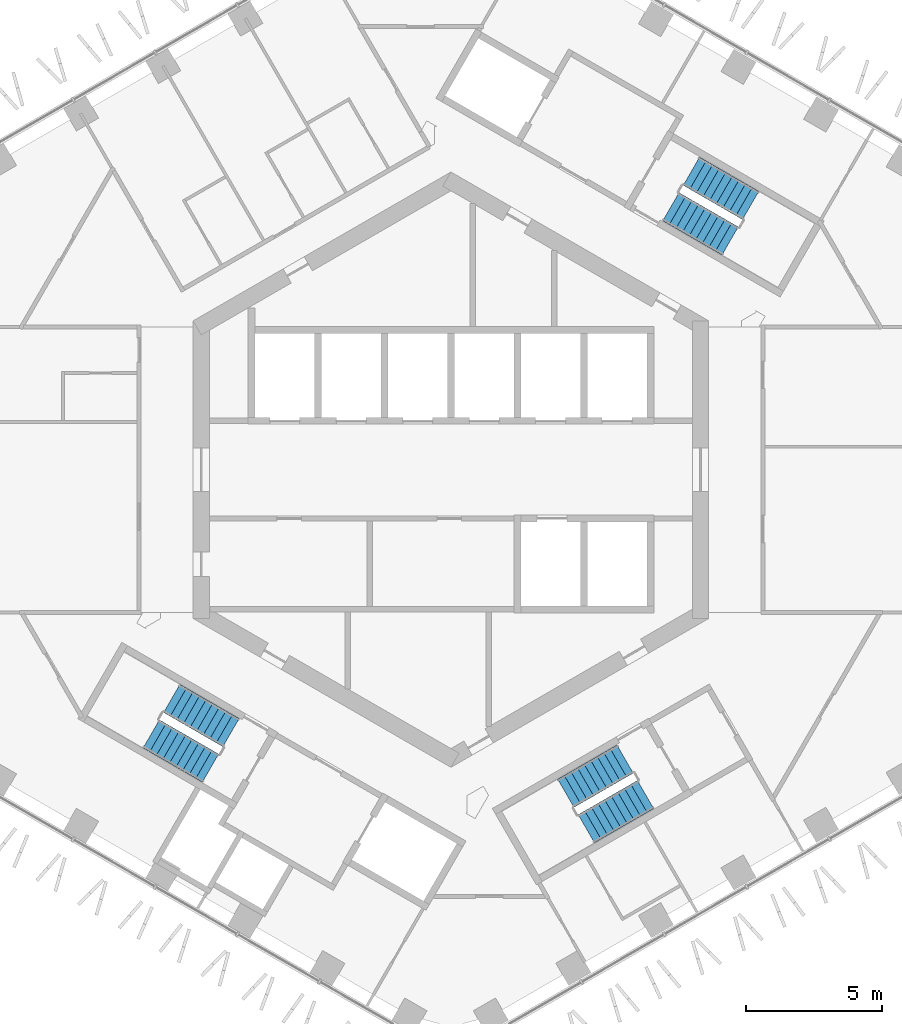
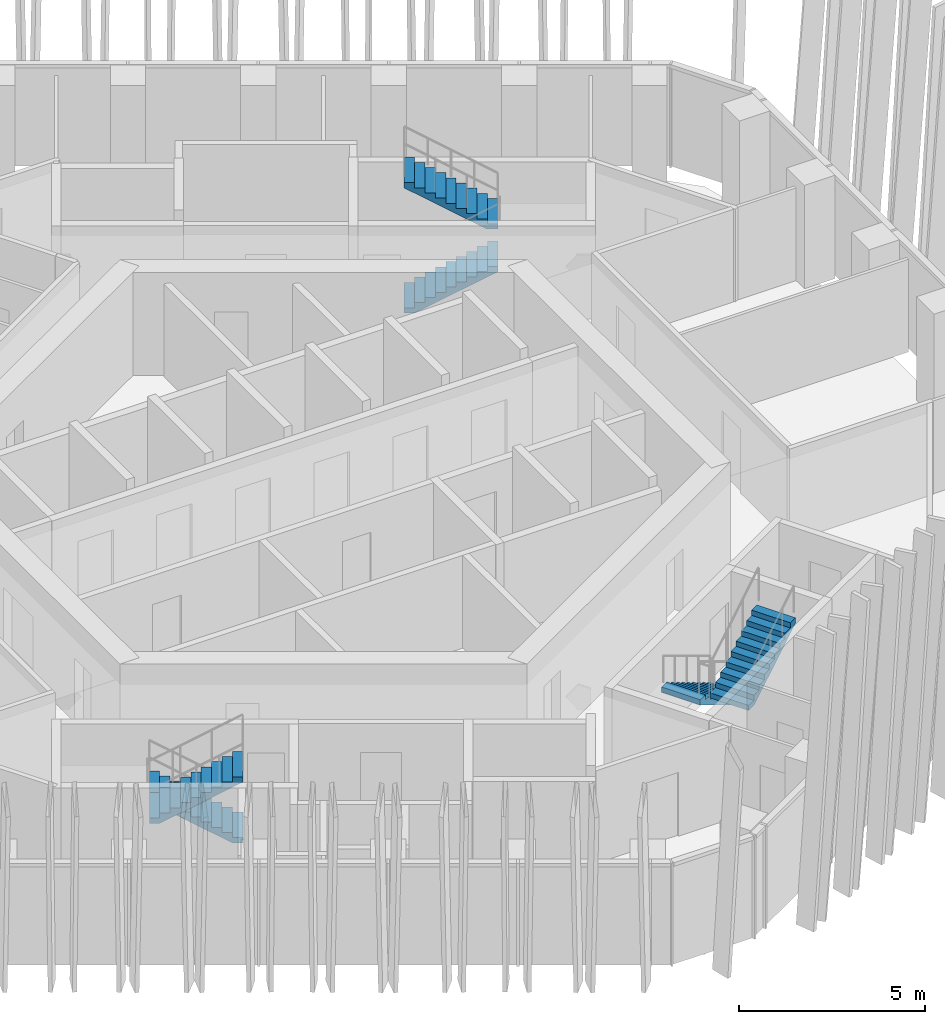
# One storey, part 17 of 21: 6 stair flights, 3 elements without a shape of their own.
"""IFC4 building model written with IfcOpenShell, lengths in metres."""

from ifc_helpers import new_model, si_unit, direction, frame, origin, place, context, subcontext, project, spatial, triangles, material, type_object, element, aggregate, save


model = new_model("IFC4")

# Units and contexts
model_context = context("Model", 3, precision=1e-05, world=origin(), true_north=direction((0.0, 1.0)))
body_context = subcontext(model_context, "Body", "Model", "MODEL_VIEW")
ifc_project = project(units=[si_unit("LENGTHUNIT", "METRE"), si_unit("AREAUNIT", "SQUARE_METRE"), si_unit("VOLUMEUNIT", "CUBIC_METRE"), si_unit("PLANEANGLEUNIT", "RADIAN"), si_unit("MASSUNIT", "GRAM", prefix="KILO")], contexts=[model_context])

# Site, building, storey
site_placement = place(None, origin())
site = spatial("IfcSite", under=ifc_project, at=site_placement, CompositionType="ELEMENT")
building_placement = place(site_placement, origin())
building = spatial("IfcBuilding", under=site, at=building_placement, Name="Ayvan Gate Tower", CompositionType="ELEMENT")
storey_placement = place(building_placement, frame((0.0, 0.0, 152.699951171875)))
storey = spatial("IfcBuildingStorey", under=building, at=storey_placement, Name="L40", CompositionType="ELEMENT", Elevation=152.699951171875)

# Stair, stair flights
ifc_material = material(Name="Concrete C40/50", Category="concrete")
stair_type = type_object("IfcStairType", Name="ST-EXIT", PredefinedType="HALF_TURN_STAIR", material=ifc_material)
stair_1_placement = place(storey_placement, origin())
stair_1 = element("IfcStair", 1, at=stair_1_placement, inside=storey, type_object=stair_type, Name="L40 Exit Stair S1", PredefinedType="HALF_TURN_STAIR")
stair_flight_type = type_object("IfcStairFlightType", Name="SFL-EXIT", PredefinedType="STRAIGHT", material=ifc_material)
stair_flight_1_placement = place(storey_placement, frame((8.106201171875, 9.690185546875, 0.0), z_axis=(0.0, 0.0, 1.0), x_axis=(0.866025403784, -0.5, 0.0)))
stair_flight_1 = element("IfcStairFlight", 2, at=stair_flight_1_placement, type_object=stair_flight_type, Name="STS1 flight 1", NumberOfRisers=10, NumberOfTreads=9, PredefinedType="STRAIGHT", RiserHeight=0.17, TreadLength=0.28, context=body_context, shape_type="Tessellation", body=[
    triangles([(0.288841, -0.599976, 0.0), (2.5205, -0.599976, 1.354936), (2.5205, -0.599976, 1.53), (2.24, -0.599976, 1.53), (2.24, -0.599976, 1.36), (1.96, -0.599976, 1.36), (1.96, -0.599976, 1.19), (1.68, -0.599976, 1.19), (1.68, -0.599976, 1.02), (1.4, -0.599976, 1.02), (1.4, -0.599976, 0.85), (1.12, -0.599976, 0.85), (1.12, -0.599976, 0.68), (0.84, -0.599976, 0.68), (0.84, -0.599976, 0.51), (0.56, -0.599976, 0.51), (0.56, -0.599976, 0.34), (0.28, -0.599976, 0.34), (0.28, -0.599976, 0.17), (-0.0005, -0.599976, 0.17), (-0.0005, -0.599976, 0.0), (0.288841, 0.0, 0.0), (2.5205, 0.0, 1.354936), (2.5205, 0.0, 1.53), (2.24, 0.0, 1.53), (2.24, 0.0, 1.36), (1.96, 0.0, 1.36), (1.96, 0.0, 1.19), (1.68, 0.0, 1.19), (1.68, 0.0, 1.02), (1.4, 0.0, 1.02), (1.4, 0.0, 0.85), (1.12, 0.0, 0.85), (1.12, 0.0, 0.68), (0.84, 0.0, 0.68), (0.84, 0.0, 0.51), (0.56, 0.0, 0.51), (0.56, 0.0, 0.34), (0.28, 0.0, 0.34), (0.28, 0.0, 0.17), (-0.0005, 0.0, 0.17), (-0.0005, 0.0, 0.0), (0.288841, 0.599976, 0.0), (2.5205, 0.599976, 1.354936), (2.5205, 0.599976, 1.53), (2.24, 0.599976, 1.53), (2.24, 0.599976, 1.36), (1.96, 0.599976, 1.36), (1.96, 0.599976, 1.19), (1.68, 0.599976, 1.19), (1.68, 0.599976, 1.02), (1.4, 0.599976, 1.02), (1.4, 0.599976, 0.85), (1.12, 0.599976, 0.85), (1.12, 0.599976, 0.68), (0.84, 0.599976, 0.68), (0.84, 0.599976, 0.51), (0.56, 0.599976, 0.51), (0.56, 0.599976, 0.34), (0.28, 0.599976, 0.34), (0.28, 0.599976, 0.17), (-0.0005, 0.599976, 0.17), (-0.0005, 0.599976, 0.0)], [[21, 1, 2], [63, 44, 43], [2, 3, 4], [44, 46, 45], [2, 4, 5], [44, 47, 46], [2, 5, 6], [44, 48, 47], [2, 6, 7], [44, 49, 48], [7, 8, 9], [49, 51, 50], [2, 7, 9], [44, 51, 49], [9, 10, 11], [51, 53, 52], [2, 9, 11], [44, 53, 51], [11, 12, 13], [53, 55, 54], [2, 11, 13], [44, 55, 53], [13, 14, 15], [55, 57, 56], [2, 13, 15], [44, 57, 55], [15, 16, 17], [57, 59, 58], [2, 15, 17], [44, 59, 57], [17, 18, 19], [59, 61, 60], [2, 17, 19], [44, 61, 59], [21, 2, 19], [63, 61, 44], [19, 20, 21], [61, 63, 62], [1, 22, 23], [1, 23, 2], [43, 23, 22], [43, 44, 23], [2, 23, 24], [2, 24, 3], [44, 24, 23], [44, 45, 24], [3, 24, 25], [3, 25, 4], [45, 25, 24], [45, 46, 25], [4, 25, 26], [4, 26, 5], [46, 26, 25], [46, 47, 26], [5, 26, 27], [5, 27, 6], [47, 27, 26], [47, 48, 27], [6, 27, 28], [6, 28, 7], [48, 28, 27], [48, 49, 28], [7, 28, 29], [7, 29, 8], [49, 29, 28], [49, 50, 29], [8, 29, 30], [8, 30, 9], [50, 30, 29], [50, 51, 30], [9, 30, 31], [9, 31, 10], [51, 31, 30], [51, 52, 31], [10, 31, 32], [10, 32, 11], [52, 32, 31], [52, 53, 32], [11, 32, 33], [11, 33, 12], [53, 33, 32], [53, 54, 33], [12, 33, 34], [12, 34, 13], [54, 34, 33], [54, 55, 34], [13, 34, 35], [13, 35, 14], [55, 35, 34], [55, 56, 35], [14, 35, 36], [14, 36, 15], [56, 36, 35], [56, 57, 36], [15, 36, 37], [15, 37, 16], [57, 37, 36], [57, 58, 37], [16, 37, 38], [16, 38, 17], [58, 38, 37], [58, 59, 38], [17, 38, 39], [17, 39, 18], [59, 39, 38], [59, 60, 39], [18, 39, 40], [18, 40, 19], [60, 40, 39], [60, 61, 40], [19, 40, 41], [19, 41, 20], [61, 41, 40], [61, 62, 41], [20, 41, 42], [20, 42, 21], [62, 42, 41], [62, 63, 42], [21, 42, 22], [21, 22, 1], [63, 22, 42], [63, 43, 22]], closed=True),
])
stair_flight_2_placement = place(storey_placement, frame((11.04345703125, 9.73779296875, 1.699951171875), z_axis=(0.0, 0.0, 1.0), x_axis=(-0.866025403784, 0.5, 0.0)))
stair_flight_2 = element("IfcStairFlight", 3, at=stair_flight_2_placement, type_object=stair_flight_type, Name="STS1 flight 2", NumberOfRisers=10, NumberOfTreads=9, PredefinedType="STRAIGHT", RiserHeight=0.17, TreadLength=0.28, context=body_context, shape_type="Tessellation", body=[
    triangles([(0.288841, -0.599976, 0.0), (2.5205, -0.599976, 1.354936), (2.5205, -0.599976, 1.53), (2.24, -0.599976, 1.53), (2.24, -0.599976, 1.36), (1.96, -0.599976, 1.36), (1.96, -0.599976, 1.19), (1.68, -0.599976, 1.19), (1.68, -0.599976, 1.02), (1.4, -0.599976, 1.02), (1.4, -0.599976, 0.85), (1.12, -0.599976, 0.85), (1.12, -0.599976, 0.68), (0.84, -0.599976, 0.68), (0.84, -0.599976, 0.51), (0.56, -0.599976, 0.51), (0.56, -0.599976, 0.34), (0.28, -0.599976, 0.34), (0.28, -0.599976, 0.17), (-0.0005, -0.599976, 0.17), (-0.0005, -0.599976, 0.0), (0.288841, 0.0, 0.0), (2.5205, 0.0, 1.354936), (2.5205, 0.0, 1.53), (2.24, 0.0, 1.53), (2.24, 0.0, 1.36), (1.96, 0.0, 1.36), (1.96, 0.0, 1.19), (1.68, 0.0, 1.19), (1.68, 0.0, 1.02), (1.4, 0.0, 1.02), (1.4, 0.0, 0.85), (1.12, 0.0, 0.85), (1.12, 0.0, 0.68), (0.84, 0.0, 0.68), (0.84, 0.0, 0.51), (0.56, 0.0, 0.51), (0.56, 0.0, 0.34), (0.28, 0.0, 0.34), (0.28, 0.0, 0.17), (-0.0005, 0.0, 0.17), (-0.0005, 0.0, 0.0), (0.288841, 0.599976, 0.0), (2.5205, 0.599976, 1.354936), (2.5205, 0.599976, 1.53), (2.24, 0.599976, 1.53), (2.24, 0.599976, 1.36), (1.96, 0.599976, 1.36), (1.96, 0.599976, 1.19), (1.68, 0.599976, 1.19), (1.68, 0.599976, 1.02), (1.4, 0.599976, 1.02), (1.4, 0.599976, 0.85), (1.12, 0.599976, 0.85), (1.12, 0.599976, 0.68), (0.84, 0.599976, 0.68), (0.84, 0.599976, 0.51), (0.56, 0.599976, 0.51), (0.56, 0.599976, 0.34), (0.28, 0.599976, 0.34), (0.28, 0.599976, 0.17), (-0.0005, 0.599976, 0.17), (-0.0005, 0.599976, 0.0)], [[21, 1, 2], [63, 44, 43], [2, 3, 4], [44, 46, 45], [2, 4, 5], [44, 47, 46], [2, 5, 6], [44, 48, 47], [2, 6, 7], [44, 49, 48], [7, 8, 9], [49, 51, 50], [2, 7, 9], [44, 51, 49], [9, 10, 11], [51, 53, 52], [2, 9, 11], [44, 53, 51], [11, 12, 13], [53, 55, 54], [2, 11, 13], [44, 55, 53], [13, 14, 15], [55, 57, 56], [2, 13, 15], [44, 57, 55], [15, 16, 17], [57, 59, 58], [2, 15, 17], [44, 59, 57], [17, 18, 19], [59, 61, 60], [2, 17, 19], [44, 61, 59], [21, 2, 19], [63, 61, 44], [19, 20, 21], [61, 63, 62], [1, 22, 23], [1, 23, 2], [43, 23, 22], [43, 44, 23], [2, 23, 24], [2, 24, 3], [44, 24, 23], [44, 45, 24], [3, 24, 25], [3, 25, 4], [45, 25, 24], [45, 46, 25], [4, 25, 26], [4, 26, 5], [46, 26, 25], [46, 47, 26], [5, 26, 27], [5, 27, 6], [47, 27, 26], [47, 48, 27], [6, 27, 28], [6, 28, 7], [48, 28, 27], [48, 49, 28], [7, 28, 29], [7, 29, 8], [49, 29, 28], [49, 50, 29], [8, 29, 30], [8, 30, 9], [50, 30, 29], [50, 51, 30], [9, 30, 31], [9, 31, 10], [51, 31, 30], [51, 52, 31], [10, 31, 32], [10, 32, 11], [52, 32, 31], [52, 53, 32], [11, 32, 33], [11, 33, 12], [53, 33, 32], [53, 54, 33], [12, 33, 34], [12, 34, 13], [54, 34, 33], [54, 55, 34], [13, 34, 35], [13, 35, 14], [55, 35, 34], [55, 56, 35], [14, 35, 36], [14, 36, 15], [56, 36, 35], [56, 57, 36], [15, 36, 37], [15, 37, 16], [57, 37, 36], [57, 58, 37], [16, 37, 38], [16, 38, 17], [58, 38, 37], [58, 59, 38], [17, 38, 39], [17, 39, 18], [59, 39, 38], [59, 60, 39], [18, 39, 40], [18, 40, 19], [60, 40, 39], [60, 61, 40], [19, 40, 41], [19, 41, 20], [61, 41, 40], [61, 62, 41], [20, 41, 42], [20, 42, 21], [62, 42, 41], [62, 63, 42], [21, 42, 22], [21, 22, 1], [63, 22, 42], [63, 43, 22]], closed=True),
])
aggregate(stair_1, [stair_flight_1, stair_flight_2])

stair_2_placement = place(storey_placement, origin())
stair_2 = element("IfcStair", 4, at=stair_2_placement, inside=storey, type_object=stair_type, Name="L40 Exit Stair S2", PredefinedType="HALF_TURN_STAIR")
stair_flight_3_placement = place(storey_placement, frame((-8.106201171875, -9.690185546875, 0.0), z_axis=(0.0, 0.0, 1.0), x_axis=(-0.866025403784, 0.5, 0.0)))
stair_flight_3 = element("IfcStairFlight", 5, at=stair_flight_3_placement, type_object=stair_flight_type, Name="STS2 flight 1", NumberOfRisers=10, NumberOfTreads=9, PredefinedType="STRAIGHT", RiserHeight=0.17, TreadLength=0.28, context=body_context, shape_type="Tessellation", body=[
    triangles([(0.288841, -0.599976, 0.0), (2.5205, -0.599976, 1.354936), (2.5205, -0.599976, 1.53), (2.24, -0.599976, 1.53), (2.24, -0.599976, 1.36), (1.96, -0.599976, 1.36), (1.96, -0.599976, 1.19), (1.68, -0.599976, 1.19), (1.68, -0.599976, 1.02), (1.4, -0.599976, 1.02), (1.4, -0.599976, 0.85), (1.12, -0.599976, 0.85), (1.12, -0.599976, 0.68), (0.84, -0.599976, 0.68), (0.84, -0.599976, 0.51), (0.56, -0.599976, 0.51), (0.56, -0.599976, 0.34), (0.28, -0.599976, 0.34), (0.28, -0.599976, 0.17), (-0.0005, -0.599976, 0.17), (-0.0005, -0.599976, 0.0), (0.288841, 0.0, 0.0), (2.5205, 0.0, 1.354936), (2.5205, 0.0, 1.53), (2.24, 0.0, 1.53), (2.24, 0.0, 1.36), (1.96, 0.0, 1.36), (1.96, 0.0, 1.19), (1.68, 0.0, 1.19), (1.68, 0.0, 1.02), (1.4, 0.0, 1.02), (1.4, 0.0, 0.85), (1.12, 0.0, 0.85), (1.12, 0.0, 0.68), (0.84, 0.0, 0.68), (0.84, 0.0, 0.51), (0.56, 0.0, 0.51), (0.56, 0.0, 0.34), (0.28, 0.0, 0.34), (0.28, 0.0, 0.17), (-0.0005, 0.0, 0.17), (-0.0005, 0.0, 0.0), (0.288841, 0.599976, 0.0), (2.5205, 0.599976, 1.354936), (2.5205, 0.599976, 1.53), (2.24, 0.599976, 1.53), (2.24, 0.599976, 1.36), (1.96, 0.599976, 1.36), (1.96, 0.599976, 1.19), (1.68, 0.599976, 1.19), (1.68, 0.599976, 1.02), (1.4, 0.599976, 1.02), (1.4, 0.599976, 0.85), (1.12, 0.599976, 0.85), (1.12, 0.599976, 0.68), (0.84, 0.599976, 0.68), (0.84, 0.599976, 0.51), (0.56, 0.599976, 0.51), (0.56, 0.599976, 0.34), (0.28, 0.599976, 0.34), (0.28, 0.599976, 0.17), (-0.0005, 0.599976, 0.17), (-0.0005, 0.599976, 0.0)], [[21, 1, 2], [63, 44, 43], [2, 3, 4], [44, 46, 45], [2, 4, 5], [44, 47, 46], [2, 5, 6], [44, 48, 47], [2, 6, 7], [44, 49, 48], [7, 8, 9], [49, 51, 50], [2, 7, 9], [44, 51, 49], [9, 10, 11], [51, 53, 52], [2, 9, 11], [44, 53, 51], [11, 12, 13], [53, 55, 54], [2, 11, 13], [44, 55, 53], [13, 14, 15], [55, 57, 56], [2, 13, 15], [44, 57, 55], [15, 16, 17], [57, 59, 58], [2, 15, 17], [44, 59, 57], [17, 18, 19], [59, 61, 60], [2, 17, 19], [44, 61, 59], [21, 2, 19], [63, 61, 44], [19, 20, 21], [61, 63, 62], [1, 22, 23], [1, 23, 2], [43, 23, 22], [43, 44, 23], [2, 23, 24], [2, 24, 3], [44, 24, 23], [44, 45, 24], [3, 24, 25], [3, 25, 4], [45, 25, 24], [45, 46, 25], [4, 25, 26], [4, 26, 5], [46, 26, 25], [46, 47, 26], [5, 26, 27], [5, 27, 6], [47, 27, 26], [47, 48, 27], [6, 27, 28], [6, 28, 7], [48, 28, 27], [48, 49, 28], [7, 28, 29], [7, 29, 8], [49, 29, 28], [49, 50, 29], [8, 29, 30], [8, 30, 9], [50, 30, 29], [50, 51, 30], [9, 30, 31], [9, 31, 10], [51, 31, 30], [51, 52, 31], [10, 31, 32], [10, 32, 11], [52, 32, 31], [52, 53, 32], [11, 32, 33], [11, 33, 12], [53, 33, 32], [53, 54, 33], [12, 33, 34], [12, 34, 13], [54, 34, 33], [54, 55, 34], [13, 34, 35], [13, 35, 14], [55, 35, 34], [55, 56, 35], [14, 35, 36], [14, 36, 15], [56, 36, 35], [56, 57, 36], [15, 36, 37], [15, 37, 16], [57, 37, 36], [57, 58, 37], [16, 37, 38], [16, 38, 17], [58, 38, 37], [58, 59, 38], [17, 38, 39], [17, 39, 18], [59, 39, 38], [59, 60, 39], [18, 39, 40], [18, 40, 19], [60, 40, 39], [60, 61, 40], [19, 40, 41], [19, 41, 20], [61, 41, 40], [61, 62, 41], [20, 41, 42], [20, 42, 21], [62, 42, 41], [62, 63, 42], [21, 42, 22], [21, 22, 1], [63, 22, 42], [63, 43, 22]], closed=True),
])
stair_flight_4_placement = place(storey_placement, frame((-11.04345703125, -9.73779296875, 1.699951171875), z_axis=(0.0, 0.0, 1.0), x_axis=(0.866025403784, -0.5, 0.0)))
stair_flight_4 = element("IfcStairFlight", 6, at=stair_flight_4_placement, type_object=stair_flight_type, Name="STS2 flight 2", NumberOfRisers=10, NumberOfTreads=9, PredefinedType="STRAIGHT", RiserHeight=0.17, TreadLength=0.28, context=body_context, shape_type="Tessellation", body=[
    triangles([(0.288841, -0.599976, 0.0), (2.5205, -0.599976, 1.354936), (2.5205, -0.599976, 1.53), (2.24, -0.599976, 1.53), (2.24, -0.599976, 1.36), (1.96, -0.599976, 1.36), (1.96, -0.599976, 1.19), (1.68, -0.599976, 1.19), (1.68, -0.599976, 1.02), (1.4, -0.599976, 1.02), (1.4, -0.599976, 0.85), (1.12, -0.599976, 0.85), (1.12, -0.599976, 0.68), (0.84, -0.599976, 0.68), (0.84, -0.599976, 0.51), (0.56, -0.599976, 0.51), (0.56, -0.599976, 0.34), (0.28, -0.599976, 0.34), (0.28, -0.599976, 0.17), (-0.0005, -0.599976, 0.17), (-0.0005, -0.599976, 0.0), (0.288841, 0.0, 0.0), (2.5205, 0.0, 1.354936), (2.5205, 0.0, 1.53), (2.24, 0.0, 1.53), (2.24, 0.0, 1.36), (1.96, 0.0, 1.36), (1.96, 0.0, 1.19), (1.68, 0.0, 1.19), (1.68, 0.0, 1.02), (1.4, 0.0, 1.02), (1.4, 0.0, 0.85), (1.12, 0.0, 0.85), (1.12, 0.0, 0.68), (0.84, 0.0, 0.68), (0.84, 0.0, 0.51), (0.56, 0.0, 0.51), (0.56, 0.0, 0.34), (0.28, 0.0, 0.34), (0.28, 0.0, 0.17), (-0.0005, 0.0, 0.17), (-0.0005, 0.0, 0.0), (0.288841, 0.599976, 0.0), (2.5205, 0.599976, 1.354936), (2.5205, 0.599976, 1.53), (2.24, 0.599976, 1.53), (2.24, 0.599976, 1.36), (1.96, 0.599976, 1.36), (1.96, 0.599976, 1.19), (1.68, 0.599976, 1.19), (1.68, 0.599976, 1.02), (1.4, 0.599976, 1.02), (1.4, 0.599976, 0.85), (1.12, 0.599976, 0.85), (1.12, 0.599976, 0.68), (0.84, 0.599976, 0.68), (0.84, 0.599976, 0.51), (0.56, 0.599976, 0.51), (0.56, 0.599976, 0.34), (0.28, 0.599976, 0.34), (0.28, 0.599976, 0.17), (-0.0005, 0.599976, 0.17), (-0.0005, 0.599976, 0.0)], [[21, 1, 2], [63, 44, 43], [2, 3, 4], [44, 46, 45], [2, 4, 5], [44, 47, 46], [2, 5, 6], [44, 48, 47], [2, 6, 7], [44, 49, 48], [7, 8, 9], [49, 51, 50], [2, 7, 9], [44, 51, 49], [9, 10, 11], [51, 53, 52], [2, 9, 11], [44, 53, 51], [11, 12, 13], [53, 55, 54], [2, 11, 13], [44, 55, 53], [13, 14, 15], [55, 57, 56], [2, 13, 15], [44, 57, 55], [15, 16, 17], [57, 59, 58], [2, 15, 17], [44, 59, 57], [17, 18, 19], [59, 61, 60], [2, 17, 19], [44, 61, 59], [21, 2, 19], [63, 61, 44], [19, 20, 21], [61, 63, 62], [1, 22, 23], [1, 23, 2], [43, 23, 22], [43, 44, 23], [2, 23, 24], [2, 24, 3], [44, 24, 23], [44, 45, 24], [3, 24, 25], [3, 25, 4], [45, 25, 24], [45, 46, 25], [4, 25, 26], [4, 26, 5], [46, 26, 25], [46, 47, 26], [5, 26, 27], [5, 27, 6], [47, 27, 26], [47, 48, 27], [6, 27, 28], [6, 28, 7], [48, 28, 27], [48, 49, 28], [7, 28, 29], [7, 29, 8], [49, 29, 28], [49, 50, 29], [8, 29, 30], [8, 30, 9], [50, 30, 29], [50, 51, 30], [9, 30, 31], [9, 31, 10], [51, 31, 30], [51, 52, 31], [10, 31, 32], [10, 32, 11], [52, 32, 31], [52, 53, 32], [11, 32, 33], [11, 33, 12], [53, 33, 32], [53, 54, 33], [12, 33, 34], [12, 34, 13], [54, 34, 33], [54, 55, 34], [13, 34, 35], [13, 35, 14], [55, 35, 34], [55, 56, 35], [14, 35, 36], [14, 36, 15], [56, 36, 35], [56, 57, 36], [15, 36, 37], [15, 37, 16], [57, 37, 36], [57, 58, 37], [16, 37, 38], [16, 38, 17], [58, 38, 37], [58, 59, 38], [17, 38, 39], [17, 39, 18], [59, 39, 38], [59, 60, 39], [18, 39, 40], [18, 40, 19], [60, 40, 39], [60, 61, 40], [19, 40, 41], [19, 41, 20], [61, 41, 40], [61, 62, 41], [20, 41, 42], [20, 42, 21], [62, 42, 41], [62, 63, 42], [21, 42, 22], [21, 22, 1], [63, 22, 42], [63, 43, 22]], closed=True),
])
aggregate(stair_2, [stair_flight_3, stair_flight_4])

stair_3_placement = place(storey_placement, origin())
stair_3 = element("IfcStair", 7, at=stair_3_placement, inside=storey, type_object=stair_type, Name="L40 Exit Stair S3", PredefinedType="HALF_TURN_STAIR")
stair_flight_5_placement = place(storey_placement, frame((6.417236328125, -10.665283203125, 0.0), z_axis=(0.0, 0.0, 1.0), x_axis=(-0.866025403784, -0.5, 0.0)))
stair_flight_5 = element("IfcStairFlight", 8, at=stair_flight_5_placement, type_object=stair_flight_type, Name="STS3 flight 1", NumberOfRisers=10, NumberOfTreads=9, PredefinedType="STRAIGHT", RiserHeight=0.17, TreadLength=0.28, context=body_context, shape_type="Tessellation", body=[
    triangles([(0.288841, -0.599976, 0.0), (2.5205, -0.599976, 1.354936), (2.5205, -0.599976, 1.53), (2.24, -0.599976, 1.53), (2.24, -0.599976, 1.36), (1.96, -0.599976, 1.36), (1.96, -0.599976, 1.19), (1.68, -0.599976, 1.19), (1.68, -0.599976, 1.02), (1.4, -0.599976, 1.02), (1.4, -0.599976, 0.85), (1.12, -0.599976, 0.85), (1.12, -0.599976, 0.68), (0.84, -0.599976, 0.68), (0.84, -0.599976, 0.51), (0.56, -0.599976, 0.51), (0.56, -0.599976, 0.34), (0.28, -0.599976, 0.34), (0.28, -0.599976, 0.17), (-0.0005, -0.599976, 0.17), (-0.0005, -0.599976, 0.0), (0.288841, 0.0, 0.0), (2.5205, 0.0, 1.354936), (2.5205, 0.0, 1.53), (2.24, 0.0, 1.53), (2.24, 0.0, 1.36), (1.96, 0.0, 1.36), (1.96, 0.0, 1.19), (1.68, 0.0, 1.19), (1.68, 0.0, 1.02), (1.4, 0.0, 1.02), (1.4, 0.0, 0.85), (1.12, 0.0, 0.85), (1.12, 0.0, 0.68), (0.84, 0.0, 0.68), (0.84, 0.0, 0.51), (0.56, 0.0, 0.51), (0.56, 0.0, 0.34), (0.28, 0.0, 0.34), (0.28, 0.0, 0.17), (-0.0005, 0.0, 0.17), (-0.0005, 0.0, 0.0), (0.288841, 0.599976, 0.0), (2.5205, 0.599976, 1.354936), (2.5205, 0.599976, 1.53), (2.24, 0.599976, 1.53), (2.24, 0.599976, 1.36), (1.96, 0.599976, 1.36), (1.96, 0.599976, 1.19), (1.68, 0.599976, 1.19), (1.68, 0.599976, 1.02), (1.4, 0.599976, 1.02), (1.4, 0.599976, 0.85), (1.12, 0.599976, 0.85), (1.12, 0.599976, 0.68), (0.84, 0.599976, 0.68), (0.84, 0.599976, 0.51), (0.56, 0.599976, 0.51), (0.56, 0.599976, 0.34), (0.28, 0.599976, 0.34), (0.28, 0.599976, 0.17), (-0.0005, 0.599976, 0.17), (-0.0005, 0.599976, 0.0)], [[21, 1, 2], [63, 44, 43], [2, 3, 4], [44, 46, 45], [2, 4, 5], [44, 47, 46], [2, 5, 6], [44, 48, 47], [2, 6, 7], [44, 49, 48], [7, 8, 9], [49, 51, 50], [2, 7, 9], [44, 51, 49], [9, 10, 11], [51, 53, 52], [2, 9, 11], [44, 53, 51], [11, 12, 13], [53, 55, 54], [2, 11, 13], [44, 55, 53], [13, 14, 15], [55, 57, 56], [2, 13, 15], [44, 57, 55], [15, 16, 17], [57, 59, 58], [2, 15, 17], [44, 59, 57], [17, 18, 19], [59, 61, 60], [2, 17, 19], [44, 61, 59], [21, 2, 19], [63, 61, 44], [19, 20, 21], [61, 63, 62], [1, 22, 23], [1, 23, 2], [43, 23, 22], [43, 44, 23], [2, 23, 24], [2, 24, 3], [44, 24, 23], [44, 45, 24], [3, 24, 25], [3, 25, 4], [45, 25, 24], [45, 46, 25], [4, 25, 26], [4, 26, 5], [46, 26, 25], [46, 47, 26], [5, 26, 27], [5, 27, 6], [47, 27, 26], [47, 48, 27], [6, 27, 28], [6, 28, 7], [48, 28, 27], [48, 49, 28], [7, 28, 29], [7, 29, 8], [49, 29, 28], [49, 50, 29], [8, 29, 30], [8, 30, 9], [50, 30, 29], [50, 51, 30], [9, 30, 31], [9, 31, 10], [51, 31, 30], [51, 52, 31], [10, 31, 32], [10, 32, 11], [52, 32, 31], [52, 53, 32], [11, 32, 33], [11, 33, 12], [53, 33, 32], [53, 54, 33], [12, 33, 34], [12, 34, 13], [54, 34, 33], [54, 55, 34], [13, 34, 35], [13, 35, 14], [55, 35, 34], [55, 56, 35], [14, 35, 36], [14, 36, 15], [56, 36, 35], [56, 57, 36], [15, 36, 37], [15, 37, 16], [57, 37, 36], [57, 58, 37], [16, 37, 38], [16, 38, 17], [58, 38, 37], [58, 59, 38], [17, 38, 39], [17, 39, 18], [59, 39, 38], [59, 60, 39], [18, 39, 40], [18, 40, 19], [60, 40, 39], [60, 61, 40], [19, 40, 41], [19, 41, 20], [61, 41, 40], [61, 62, 41], [20, 41, 42], [20, 42, 21], [62, 42, 41], [62, 63, 42], [21, 42, 22], [21, 22, 1], [63, 22, 42], [63, 43, 22]], closed=True),
])
stair_flight_6_placement = place(storey_placement, frame((4.989990234375, -13.23291015625, 1.699951171875), z_axis=(0.0, 0.0, 1.0), x_axis=(0.866025403784, 0.5, 0.0)))
stair_flight_6 = element("IfcStairFlight", 9, at=stair_flight_6_placement, type_object=stair_flight_type, Name="STS3 flight 2", NumberOfRisers=10, NumberOfTreads=9, PredefinedType="STRAIGHT", RiserHeight=0.17, TreadLength=0.28, context=body_context, shape_type="Tessellation", body=[
    triangles([(0.288841, -0.599976, 0.0), (2.5205, -0.599976, 1.354936), (2.5205, -0.599976, 1.53), (2.24, -0.599976, 1.53), (2.24, -0.599976, 1.36), (1.96, -0.599976, 1.36), (1.96, -0.599976, 1.19), (1.68, -0.599976, 1.19), (1.68, -0.599976, 1.02), (1.4, -0.599976, 1.02), (1.4, -0.599976, 0.85), (1.12, -0.599976, 0.85), (1.12, -0.599976, 0.68), (0.84, -0.599976, 0.68), (0.84, -0.599976, 0.51), (0.56, -0.599976, 0.51), (0.56, -0.599976, 0.34), (0.28, -0.599976, 0.34), (0.28, -0.599976, 0.17), (-0.0005, -0.599976, 0.17), (-0.0005, -0.599976, 0.0), (0.288841, 0.0, 0.0), (2.5205, 0.0, 1.354936), (2.5205, 0.0, 1.53), (2.24, 0.0, 1.53), (2.24, 0.0, 1.36), (1.96, 0.0, 1.36), (1.96, 0.0, 1.19), (1.68, 0.0, 1.19), (1.68, 0.0, 1.02), (1.4, 0.0, 1.02), (1.4, 0.0, 0.85), (1.12, 0.0, 0.85), (1.12, 0.0, 0.68), (0.84, 0.0, 0.68), (0.84, 0.0, 0.51), (0.56, 0.0, 0.51), (0.56, 0.0, 0.34), (0.28, 0.0, 0.34), (0.28, 0.0, 0.17), (-0.0005, 0.0, 0.17), (-0.0005, 0.0, 0.0), (0.288841, 0.599976, 0.0), (2.5205, 0.599976, 1.354936), (2.5205, 0.599976, 1.53), (2.24, 0.599976, 1.53), (2.24, 0.599976, 1.36), (1.96, 0.599976, 1.36), (1.96, 0.599976, 1.19), (1.68, 0.599976, 1.19), (1.68, 0.599976, 1.02), (1.4, 0.599976, 1.02), (1.4, 0.599976, 0.85), (1.12, 0.599976, 0.85), (1.12, 0.599976, 0.68), (0.84, 0.599976, 0.68), (0.84, 0.599976, 0.51), (0.56, 0.599976, 0.51), (0.56, 0.599976, 0.34), (0.28, 0.599976, 0.34), (0.28, 0.599976, 0.17), (-0.0005, 0.599976, 0.17), (-0.0005, 0.599976, 0.0)], [[21, 1, 2], [63, 44, 43], [2, 3, 4], [44, 46, 45], [2, 4, 5], [44, 47, 46], [2, 5, 6], [44, 48, 47], [2, 6, 7], [44, 49, 48], [7, 8, 9], [49, 51, 50], [2, 7, 9], [44, 51, 49], [9, 10, 11], [51, 53, 52], [2, 9, 11], [44, 53, 51], [11, 12, 13], [53, 55, 54], [2, 11, 13], [44, 55, 53], [13, 14, 15], [55, 57, 56], [2, 13, 15], [44, 57, 55], [15, 16, 17], [57, 59, 58], [2, 15, 17], [44, 59, 57], [17, 18, 19], [59, 61, 60], [2, 17, 19], [44, 61, 59], [21, 2, 19], [63, 61, 44], [19, 20, 21], [61, 63, 62], [1, 22, 23], [1, 23, 2], [43, 23, 22], [43, 44, 23], [2, 23, 24], [2, 24, 3], [44, 24, 23], [44, 45, 24], [3, 24, 25], [3, 25, 4], [45, 25, 24], [45, 46, 25], [4, 25, 26], [4, 26, 5], [46, 26, 25], [46, 47, 26], [5, 26, 27], [5, 27, 6], [47, 27, 26], [47, 48, 27], [6, 27, 28], [6, 28, 7], [48, 28, 27], [48, 49, 28], [7, 28, 29], [7, 29, 8], [49, 29, 28], [49, 50, 29], [8, 29, 30], [8, 30, 9], [50, 30, 29], [50, 51, 30], [9, 30, 31], [9, 31, 10], [51, 31, 30], [51, 52, 31], [10, 31, 32], [10, 32, 11], [52, 32, 31], [52, 53, 32], [11, 32, 33], [11, 33, 12], [53, 33, 32], [53, 54, 33], [12, 33, 34], [12, 34, 13], [54, 34, 33], [54, 55, 34], [13, 34, 35], [13, 35, 14], [55, 35, 34], [55, 56, 35], [14, 35, 36], [14, 36, 15], [56, 36, 35], [56, 57, 36], [15, 36, 37], [15, 37, 16], [57, 37, 36], [57, 58, 37], [16, 37, 38], [16, 38, 17], [58, 38, 37], [58, 59, 38], [17, 38, 39], [17, 39, 18], [59, 39, 38], [59, 60, 39], [18, 39, 40], [18, 40, 19], [60, 40, 39], [60, 61, 40], [19, 40, 41], [19, 41, 20], [61, 41, 40], [61, 62, 41], [20, 41, 42], [20, 42, 21], [62, 42, 41], [62, 63, 42], [21, 42, 22], [21, 22, 1], [63, 22, 42], [63, 43, 22]], closed=True),
])
aggregate(stair_3, [stair_flight_5, stair_flight_6])

save(model, "model.ifc")
